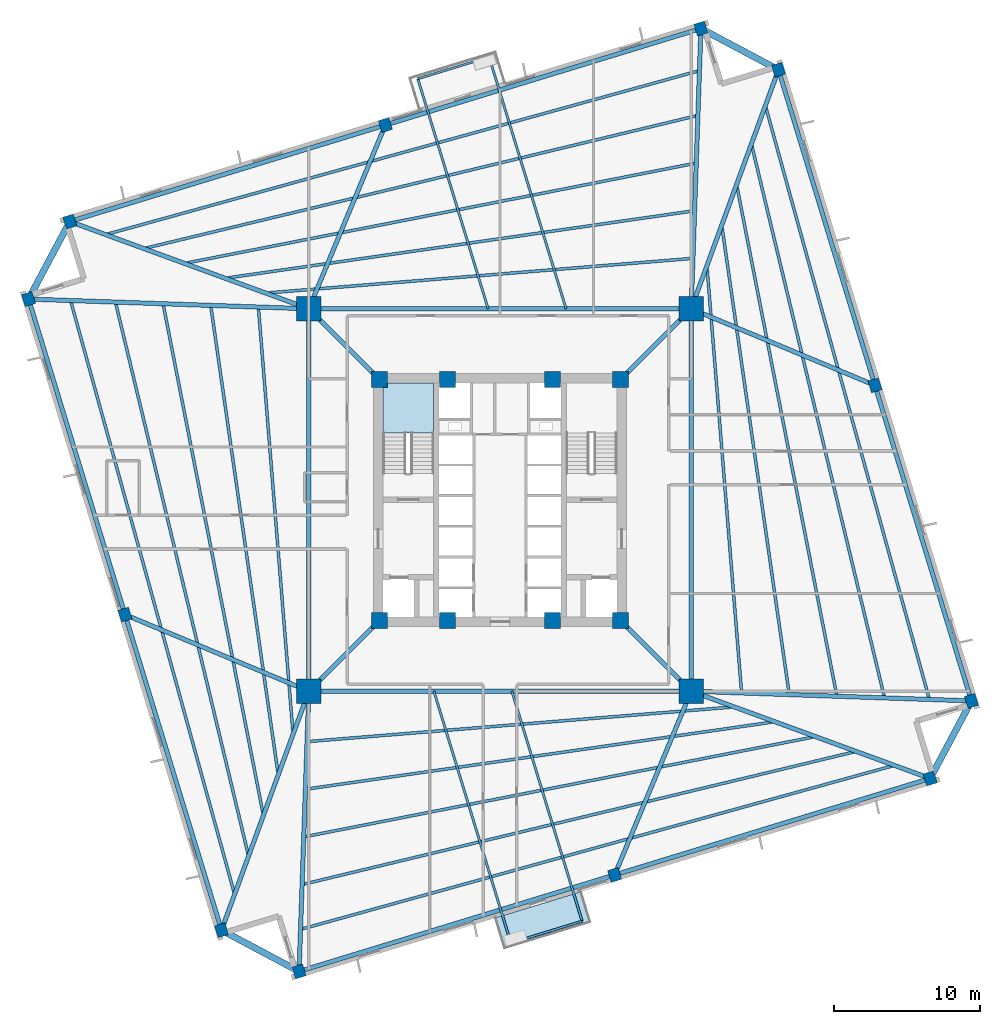
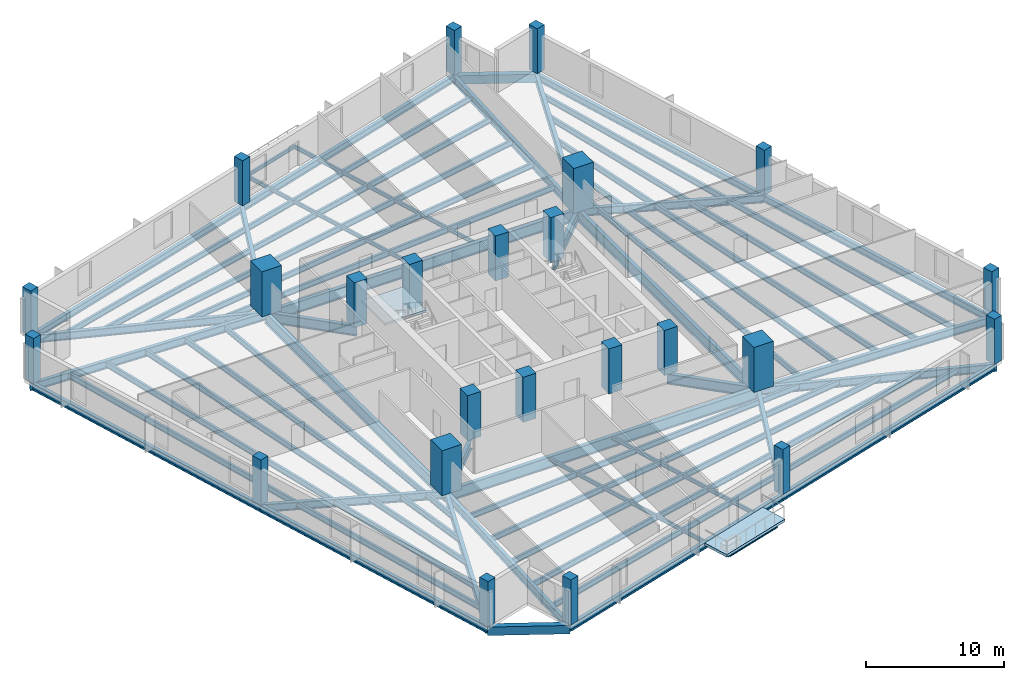
# One storey, part 1 of 9: 58 beams, 24 columns, 2 slabs, 1 element without a shape of its own.
"""IFC4 building model written with IfcOpenShell, lengths in metres."""

from ifc_helpers import new_model, si_unit, direction, frame, origin, origin_2d, place, context, subcontext, project, spatial, polyline, rectangle, i_section, outline, extrude, source, transform, mapped, material, layer, layer_set, material_profile, profile_set, type_object, element, aggregate, save


model = new_model("IFC4")

# Units and contexts
model_context = context("Model", 3, precision=1e-05, world=origin(), true_north=direction((0.0, 1.0)))
body_context = subcontext(model_context, "Body", "Model", "MODEL_VIEW")
ifc_project = project(units=[si_unit("LENGTHUNIT", "METRE"), si_unit("AREAUNIT", "SQUARE_METRE"), si_unit("VOLUMEUNIT", "CUBIC_METRE"), si_unit("PLANEANGLEUNIT", "RADIAN"), si_unit("MASSUNIT", "GRAM", prefix="KILO"), si_unit("THERMODYNAMICTEMPERATUREUNIT", "KELVIN")], contexts=[model_context])

# Site, building, storey
site_placement = place(None, origin())
site = spatial("IfcSite", under=ifc_project, at=site_placement, CompositionType="ELEMENT")
building_placement = place(site_placement, origin())
building = spatial("IfcBuilding", under=site, at=building_placement, Name="Kosmvard Interchange Tower", CompositionType="ELEMENT")
storey_placement = place(building_placement, frame((0.0, 0.0, 127.199951171875)))
storey = spatial("IfcBuildingStorey", under=building, at=storey_placement, Name="L30", CompositionType="ELEMENT", Elevation=127.199951171875)

# Columns
ifc_material_1 = material(Name="Concrete C80/95", Category="concrete")
ifc_material_profile_1 = material_profile(ifc_material_1, rectangle(XDim=1.10009765625, YDim=1.10009765625, at=origin_2d()), Name="CP 1100x1100")
ifc_profile_set_1 = profile_set([ifc_material_profile_1], Name="Concrete C80/95")
column_type_1 = type_object("IfcColumnType", Name="Core Boundary Pilaster 1100x1100 C80/95", PredefinedType="PILASTER", material=ifc_profile_set_1)
shared_shape_1 = source(origin(), body_context, "Body", "SweptSolid", [
    extrude(rectangle(XDim=1.10009765625, YDim=1.10009765625, at=origin_2d()), origin(), (0.0, 0.0, 1.0), 4.0),
])
for number, where, z_axis, x_axis, name in (
    (1, (-8.25, -8.25, 0.0), (0.0, 0.0, 1.0), (1.0, 0.0, 0.0), "L30 Core Pilaster CP1"),
    (2, (8.25, -8.25, 0.0), (0.0, 0.0, 1.0), (1.0, 0.0, 0.0), "L30 Core Pilaster CP2"),
    (3, (8.25, 8.25, 0.0), (0.0, 0.0, 1.0), (1.0, 0.0, 0.0), "L30 Core Pilaster CP3"),
    (4, (-8.25, 8.25, 0.0), (0.0, 0.0, 1.0), (1.0, 0.0, 0.0), "L30 Core Pilaster CP4"),
    (5, (-3.60009765625, -8.25, 0.0), (0.0, 0.0, 1.0), (1.0, 0.0, 0.0), "L30 Core Pilaster CP5"),
    (6, (3.60009765625, -8.25, 0.0), (0.0, 0.0, 1.0), (1.0, 0.0, 0.0), "L30 Core Pilaster CP6"),
    (7, (-3.60009765625, 8.25, 0.0), (0.0, 0.0, 1.0), (1.0, 0.0, 0.0), "L30 Core Pilaster CP7"),
    (8, (3.60009765625, 8.25, 0.0), (0.0, 0.0, 1.0), (1.0, 0.0, 0.0), "L30 Core Pilaster CP8"),
):
    element("IfcColumn", number, at=place(storey_placement, frame(where, z_axis=z_axis, x_axis=x_axis)), inside=storey, type_object=column_type_1, Name=name, PredefinedType="PILASTER", context=body_context, shape_type="MappedRepresentation", body=[
        mapped(shared_shape_1, transform((0.0, 0.0, 0.0), scale=1.0)),
    ])
ifc_material_2 = material(Name="Concrete C70/85", Category="concrete")
ifc_material_profile_2 = material_profile(ifc_material_2, rectangle(XDim=1.64990234375, YDim=1.64990234375, at=origin_2d()), Name="MC 1650x1650")
ifc_profile_set_2 = profile_set([ifc_material_profile_2], Name="Concrete C70/85")
column_type_2 = type_object("IfcColumnType", Name="Composite Mega-Column 1650x1650 C70/85", PredefinedType="COLUMN", material=ifc_profile_set_2)
shared_shape_2 = source(origin(), body_context, "Body", "SweptSolid", [
    extrude(rectangle(XDim=1.64990234375, YDim=1.64990234375, at=origin_2d()), origin(), (0.0, 0.0, 1.0), 4.0),
])
for number, where, z_axis, x_axis, name in (
    (9, (-13.0810546875, -13.0810546875, 0.0), (0.0, 0.0, 1.0), (1.0, 0.0, 0.0), "L30 Corner Mega-Column MC1"),
    (10, (13.0810546875, -13.0810546875, 0.0), (0.0, 0.0, 1.0), (1.0, 0.0, 0.0), "L30 Corner Mega-Column MC2"),
    (11, (13.0810546875, 13.0810546875, 0.0), (0.0, 0.0, 1.0), (1.0, 0.0, 0.0), "L30 Corner Mega-Column MC3"),
    (12, (-13.0810546875, 13.0810546875, 0.0), (0.0, 0.0, 1.0), (1.0, 0.0, 0.0), "L30 Corner Mega-Column MC4"),
):
    element("IfcColumn", number, at=place(storey_placement, frame(where, z_axis=z_axis, x_axis=x_axis)), inside=storey, type_object=column_type_2, Name=name, PredefinedType="COLUMN", context=body_context, shape_type="MappedRepresentation", body=[
        mapped(shared_shape_2, transform((0.0, 0.0, 0.0), scale=1.0)),
    ])
ifc_material_3 = material(Name="Concrete C60/75", Category="concrete")
ifc_material_profile_3 = material_profile(ifc_material_3, rectangle(XDim=0.75, YDim=0.85009765625, at=origin_2d()), Name="TC 850x750")
ifc_profile_set_3 = profile_set([ifc_material_profile_3], Name="Concrete C60/75")
column_type_3 = type_object("IfcColumnType", Name="Zone 2 Perimeter Pier Column 850x750 C60/75", PredefinedType="COLUMN", material=ifc_profile_set_3)
shared_shape_3 = source(origin(), body_context, "Body", "SweptSolid", [
    extrude(rectangle(XDim=0.75, YDim=0.85009765625, at=origin_2d()), origin(), (0.0, 0.0, 1.0), 4.0),
])
for number, where, z_axis, x_axis, name in (
    (13, (-13.74560546875, -32.253173828125, 0.0), (0.0, 0.0, 1.0), (0.956304755963, 0.292371704723, 0.0), "L30 Perimeter Pier Column TC-S1"),
    (14, (7.8427734375, -25.65283203125, 0.0), (0.0, 0.0, 1.0), (0.956304755963, 0.292371704723, 0.0), "L30 Perimeter Pier Column TC-S2"),
    (15, (29.431396484375, -19.052490234375, 0.0), (0.0, 0.0, 1.0), (0.956304755963, 0.292371704723, 0.0), "L30 Perimeter Pier Column TC-S3"),
    (16, (32.253173828125, -13.74560546875, 0.0), (0.0, 0.0, 1.0), (0.956304755963, 0.292371704723, 0.0), "L30 Perimeter Pier Column TC-E1"),
    (17, (25.65283203125, 7.8427734375, 0.0), (0.0, 0.0, 1.0), (0.956304755963, 0.292371704723, 0.0), "L30 Perimeter Pier Column TC-E2"),
    (18, (19.052490234375, 29.431396484375, 0.0), (0.0, 0.0, 1.0), (0.956304755963, 0.292371704723, 0.0), "L30 Perimeter Pier Column TC-E3"),
    (19, (13.74560546875, 32.253173828125, 0.0), (0.0, 0.0, 1.0), (0.956304755963, 0.292371704723, 0.0), "L30 Perimeter Pier Column TC-N1"),
    (20, (-7.8427734375, 25.65283203125, 0.0), (0.0, 0.0, 1.0), (0.956304755963, 0.292371704723, 0.0), "L30 Perimeter Pier Column TC-N2"),
    (21, (-29.431396484375, 19.052490234375, 0.0), (0.0, 0.0, 1.0), (0.956304755963, 0.292371704723, 0.0), "L30 Perimeter Pier Column TC-N3"),
    (22, (-32.253173828125, 13.74560546875, 0.0), (0.0, 0.0, 1.0), (0.956304755963, 0.292371704723, 0.0), "L30 Perimeter Pier Column TC-W1"),
    (23, (-25.65283203125, -7.8427734375, 0.0), (0.0, 0.0, 1.0), (0.956304755963, 0.292371704723, 0.0), "L30 Perimeter Pier Column TC-W2"),
    (24, (-19.052490234375, -29.431396484375, 0.0), (0.0, 0.0, 1.0), (0.956304755963, 0.292371704723, 0.0), "L30 Perimeter Pier Column TC-W3"),
):
    element("IfcColumn", number, at=place(storey_placement, frame(where, z_axis=z_axis, x_axis=x_axis)), inside=storey, type_object=column_type_3, Name=name, PredefinedType="COLUMN", context=body_context, shape_type="MappedRepresentation", body=[
        mapped(shared_shape_3, transform((0.0, 0.0, 0.0), scale=1.0)),
    ])

# Beams
ifc_material_4 = material(Name="Steel S460", Category="steel")
ifc_material_profile_4 = material_profile(ifc_material_4, i_section(OverallWidth=0.30810546875, OverallDepth=0.909912109375, WebThickness=0.02099609375, FlangeThickness=0.0400390625, FilletRadius=0.027099609375, at=origin_2d()), Name="HEM 900")
ifc_profile_set_4 = profile_set([ifc_material_profile_4], Name="Steel S460")
beam_type_1 = type_object("IfcBeamType", Name="Primary Mega-Frame Girder HEM 900 S460", PredefinedType="BEAM", material=ifc_profile_set_4)
shared_shape_4 = source(origin(), body_context, "Body", "SweptSolid", [
    extrude(i_section(OverallWidth=0.30810546875, OverallDepth=0.909912109375, WebThickness=0.02099609375, FlangeThickness=0.0400390625, FilletRadius=0.027099609375, at=origin_2d()), origin(), (0.0, 0.0, 1.0), 6.83203125),
])
for number, where, z_axis, x_axis, name in (
    (25, (-8.25, -8.25, -0.71484375), (-0.707106781187, -0.707106781187, 0.0), (0.707106781187, -0.707106781187, 0.0), "L30 Radial Mega-Frame Girder 1"),
    (26, (8.25, -8.25, -0.71484375), (0.707106781187, -0.707106781187, 0.0), (0.707106781187, 0.707106781187, 0.0), "L30 Radial Mega-Frame Girder 2"),
    (27, (8.25, 8.25, -0.71484375), (0.707106781187, 0.707106781187, 0.0), (-0.707106781187, 0.707106781187, 0.0), "L30 Radial Mega-Frame Girder 3"),
    (28, (-8.25, 8.25, -0.71484375), (-0.707106781187, 0.707106781187, 0.0), (-0.707106781187, -0.707106781187, 0.0), "L30 Radial Mega-Frame Girder 4"),
):
    element("IfcBeam", number, at=place(storey_placement, frame(where, z_axis=z_axis, x_axis=x_axis)), inside=storey, type_object=beam_type_1, Name=name, PredefinedType="BEAM", context=body_context, shape_type="MappedRepresentation", body=[
        mapped(shared_shape_4, transform((0.0, 0.0, 0.0), scale=1.0)),
    ])
ifc_material_profile_5 = material_profile(ifc_material_4, i_section(OverallWidth=0.30908203125, OverallDepth=1.008056640625, WebThickness=0.02099609375, FlangeThickness=0.0400390625, FilletRadius=0.030029296875, at=origin_2d()), Name="HEM 1000")
ifc_profile_set_5 = profile_set([ifc_material_profile_5], Name="Steel S460")
beam_type_2 = type_object("IfcBeamType", Name="Mega-Column Ring Girder HEM 1000 S460", PredefinedType="BEAM", material=ifc_profile_set_5)
shared_shape_5 = source(origin(), body_context, "Body", "SweptSolid", [
    extrude(i_section(OverallWidth=0.30908203125, OverallDepth=1.008056640625, WebThickness=0.02099609375, FlangeThickness=0.0400390625, FilletRadius=0.030029296875, at=origin_2d()), origin(), (0.0, 0.0, 1.0), 26.162109375),
])
for number, where, z_axis, x_axis, name in (
    (29, (-13.0810546875, -13.0810546875, -0.763916015625), (1.0, 0.0, 0.0), (0.0, 1.0, 0.0), "L30 Mega-Column Ring Girder 1"),
    (30, (13.0810546875, -13.0810546875, -0.763916015625), (0.0, 1.0, 0.0), (-1.0, 0.0, 0.0), "L30 Mega-Column Ring Girder 2"),
    (31, (13.0810546875, 13.0810546875, -0.763916015625), (-1.0, 0.0, 0.0), (0.0, -1.0, 0.0), "L30 Mega-Column Ring Girder 3"),
    (32, (-13.0810546875, 13.0810546875, -0.763916015625), (0.0, -1.0, 0.0), (1.0, 0.0, 0.0), "L30 Mega-Column Ring Girder 4"),
):
    element("IfcBeam", number, at=place(storey_placement, frame(where, z_axis=z_axis, x_axis=x_axis)), inside=storey, type_object=beam_type_2, Name=name, PredefinedType="BEAM", context=body_context, shape_type="MappedRepresentation", body=[
        mapped(shared_shape_5, transform((0.0, 0.0, 0.0), scale=1.0)),
    ])
ifc_material_5 = material(Name="Steel S355", Category="steel")
ifc_material_profile_6 = material_profile(ifc_material_5, i_section(OverallWidth=0.300048828125, OverallDepth=0.60009765625, WebThickness=0.015380859375, FlangeThickness=0.030029296875, FilletRadius=0.027099609375, at=origin_2d()), Name="HEB 600")
ifc_profile_set_6 = profile_set([ifc_material_profile_6], Name="Steel S355")
beam_type_3 = type_object("IfcBeamType", Name="Perimeter Tie Girder HEB 600 S355", PredefinedType="BEAM", material=ifc_profile_set_6)
shared_shape_6 = source(origin(), body_context, "Body", "SweptSolid", [
    extrude(i_section(OverallWidth=0.300048828125, OverallDepth=0.60009765625, WebThickness=0.015380859375, FlangeThickness=0.030029296875, FilletRadius=0.027099609375, at=origin_2d()), origin(), (0.0, 0.0, 1.0), 22.57470703125),
])
for number, where, z_axis, x_axis, name in (
    (33, (-13.74560546875, -32.253173828125, -0.56005859375), (0.956303368768, 0.292376241995, 0.0), (-0.292376241995, 0.956303368768, 0.0), "BM-L30-PR01"),
    (34, (32.253173828125, -13.74560546875, -0.56005859375), (-0.292376241995, 0.956303368768, 0.0), (-0.956303368768, -0.292376241995, 0.0), "BM-L30-PR04"),
    (35, (13.74560546875, 32.253173828125, -0.56005859375), (-0.956303368768, -0.292376241995, 0.0), (0.292376241995, -0.956303368768, 0.0), "BM-L30-PR07"),
    (36, (-32.253173828125, 13.74560546875, -0.56005859375), (0.292376241995, -0.956303368768, 0.0), (0.956303368768, 0.292376241995, 0.0), "BM-L30-PR10"),
):
    element("IfcBeam", number, at=place(storey_placement, frame(where, z_axis=z_axis, x_axis=x_axis)), inside=storey, type_object=beam_type_3, Name=name, PredefinedType="BEAM", context=body_context, shape_type="MappedRepresentation", body=[
        mapped(shared_shape_6, transform((0.0, 0.0, 0.0), scale=1.0)),
    ])
ifc_material_profile_7 = material_profile(ifc_material_5, i_section(OverallWidth=0.300048828125, OverallDepth=0.699951171875, WebThickness=0.01708984375, FlangeThickness=0.031982421875, FilletRadius=0.027099609375, at=origin_2d()), Name="HEB 700")
ifc_profile_set_7 = profile_set([ifc_material_profile_7], Name="Steel S355")
beam_type_4 = type_object("IfcBeamType", Name="Primary Floor Girder HEB 700 S355", PredefinedType="BEAM", material=ifc_profile_set_7)
shared_shape_7 = source(origin(), body_context, "Body", "SweptSolid", [
    extrude(i_section(OverallWidth=0.300048828125, OverallDepth=0.699951171875, WebThickness=0.01708984375, FlangeThickness=0.031982421875, FilletRadius=0.027099609375, at=origin_2d()), origin(), (0.0, 0.0, 1.0), 19.18359375),
])
for number, where, z_axis, x_axis, name in (
    (37, (-13.0810546875, -13.0810546875, -0.60986328125), (-0.034641549738, -0.999399801397, 0.0), (0.999399801397, -0.034641549738, 0.0), "BM-L30-RD01"),
    (38, (13.0810546875, -13.0810546875, -0.60986328125), (0.999399801397, -0.034641549738, 0.0), (0.034641549738, 0.999399801397, 0.0), "BM-L30-RD04"),
    (39, (13.0810546875, 13.0810546875, -0.60986328125), (0.034641549738, 0.999399801397, 0.0), (-0.999399801397, 0.034641549738, 0.0), "BM-L30-RD07"),
    (40, (-13.0810546875, 13.0810546875, -0.60986328125), (-0.999399801397, 0.034641549738, 0.0), (-0.034641549738, -0.999399801397, 0.0), "BM-L30-RD10"),
):
    element("IfcBeam", number, at=place(storey_placement, frame(where, z_axis=z_axis, x_axis=x_axis)), inside=storey, type_object=beam_type_4, Name=name, PredefinedType="BEAM", context=body_context, shape_type="MappedRepresentation", body=[
        mapped(shared_shape_7, transform((0.0, 0.0, 0.0), scale=1.0)),
    ])
shared_shape_8 = source(origin(), body_context, "Body", "SweptSolid", [
    extrude(i_section(OverallWidth=0.300048828125, OverallDepth=0.60009765625, WebThickness=0.015380859375, FlangeThickness=0.030029296875, FilletRadius=0.027099609375, at=origin_2d()), origin(), (0.0, 0.0, 1.0), 22.574951171875),
])
for number, where, z_axis, x_axis, name in (
    (41, (7.8427734375, -25.65283203125, -0.56005859375), (0.956304293239, 0.292373218222, 0.0), (-0.292373218222, 0.956304293239, 0.0), "BM-L30-PR02"),
    (42, (25.65283203125, 7.8427734375, -0.56005859375), (-0.292373218222, 0.956304293239, 0.0), (-0.956304293239, -0.292373218222, 0.0), "BM-L30-PR05"),
    (43, (-7.8427734375, 25.65283203125, -0.56005859375), (-0.956304293239, -0.292373218222, 0.0), (0.292373218222, -0.956304293239, 0.0), "BM-L30-PR08"),
    (44, (-25.65283203125, -7.8427734375, -0.56005859375), (0.292373218222, -0.956304293239, 0.0), (0.956304293239, 0.292373218222, 0.0), "BM-L30-PR11"),
):
    element("IfcBeam", number, at=place(storey_placement, frame(where, z_axis=z_axis, x_axis=x_axis)), inside=storey, type_object=beam_type_3, Name=name, PredefinedType="BEAM", context=body_context, shape_type="MappedRepresentation", body=[
        mapped(shared_shape_8, transform((0.0, 0.0, 0.0), scale=1.0)),
    ])
shared_shape_9 = source(origin(), body_context, "Body", "SweptSolid", [
    extrude(i_section(OverallWidth=0.300048828125, OverallDepth=0.699951171875, WebThickness=0.01708984375, FlangeThickness=0.031982421875, FilletRadius=0.027099609375, at=origin_2d()), origin(), (0.0, 0.0, 1.0), 13.619384765625),
])
for number, where, z_axis, x_axis, name in (
    (45, (13.0810546875, -13.0810546875, -0.60986328125), (-0.384617930303, -0.92307586237, 0.0), (0.92307586237, -0.384617930303, 0.0), "BM-L30-RD02"),
    (46, (13.0810546875, 13.0810546875, -0.60986328125), (0.92307586237, -0.384617930303, 0.0), (0.384617930303, 0.92307586237, 0.0), "BM-L30-RD05"),
    (47, (-13.0810546875, 13.0810546875, -0.60986328125), (0.384617930303, 0.92307586237, 0.0), (-0.92307586237, 0.384617930303, 0.0), "BM-L30-RD08"),
    (48, (-13.0810546875, -13.0810546875, -0.60986328125), (-0.92307586237, 0.384617930303, 0.0), (-0.384617930303, -0.92307586237, 0.0), "BM-L30-RD11"),
):
    element("IfcBeam", number, at=place(storey_placement, frame(where, z_axis=z_axis, x_axis=x_axis)), inside=storey, type_object=beam_type_4, Name=name, PredefinedType="BEAM", context=body_context, shape_type="MappedRepresentation", body=[
        mapped(shared_shape_9, transform((0.0, 0.0, 0.0), scale=1.0)),
    ])
ifc_material_6 = material(Name="Precast concrete C45/55", Category="concrete")
ifc_material_profile_8 = material_profile(ifc_material_6, rectangle(XDim=0.449951171875, YDim=0.75, at=origin_2d()), Name="SL 450x750")
ifc_profile_set_8 = profile_set([ifc_material_profile_8], Name="Precast concrete C45/55")
beam_type_5 = type_object("IfcBeamType", Name="Precast Spandrel Lintel 450x750 C45/55", PredefinedType="LINTEL", material=ifc_profile_set_8)
shared_shape_10 = source(origin(), body_context, "Body", "SweptSolid", [
    extrude(rectangle(XDim=0.449951171875, YDim=0.75, at=origin_2d()), origin(), (0.0, 0.0, 1.0), 6.010498046875),
])
for number, where, z_axis, x_axis, name in (
    (49, (29.431396484375, -19.052490234375, -0.635009765625), (0.469478912111, 0.882943685114, 0.0), (-0.882943685114, 0.469478912111, 0.0), "BM-L30-SL1"),
    (50, (19.052490234375, 29.431396484375, -0.635009765625), (-0.882943685114, 0.469478912111, 0.0), (-0.469478912111, -0.882943685114, 0.0), "BM-L30-SL2"),
    (51, (-29.431396484375, 19.052490234375, -0.635009765625), (-0.469478912111, -0.882943685114, 0.0), (0.882943685114, -0.469478912111, 0.0), "BM-L30-SL3"),
    (52, (-19.052490234375, -29.431396484375, -0.635009765625), (0.882943685114, -0.469478912111, 0.0), (0.469478912111, 0.882943685114, 0.0), "BM-L30-SL4"),
):
    element("IfcBeam", number, at=place(storey_placement, frame(where, z_axis=z_axis, x_axis=x_axis)), inside=storey, type_object=beam_type_5, Name=name, PredefinedType="LINTEL", context=body_context, shape_type="MappedRepresentation", body=[
        mapped(shared_shape_10, transform((0.0, 0.0, 0.0), scale=1.0)),
    ])
shared_shape_11 = source(origin(), body_context, "Body", "SweptSolid", [
    extrude(i_section(OverallWidth=0.300048828125, OverallDepth=0.699951171875, WebThickness=0.01708984375, FlangeThickness=0.031982421875, FilletRadius=0.027099609375, at=origin_2d()), origin(), (0.0, 0.0, 1.0), 17.40673828125),
])
for number, where, z_axis, x_axis, name in (
    (53, (13.0810546875, -13.0810546875, -0.60986328125), (0.939315429031, -0.343054696491, 0.0), (0.343054696491, 0.939315429031, 0.0), "BM-L30-RD03"),
    (54, (13.0810546875, 13.0810546875, -0.60986328125), (0.343054696491, 0.939315429031, 0.0), (-0.939315429031, 0.343054696491, 0.0), "BM-L30-RD06"),
    (55, (-13.0810546875, 13.0810546875, -0.60986328125), (-0.939315429031, 0.343054696491, 0.0), (-0.343054696491, -0.939315429031, 0.0), "BM-L30-RD09"),
    (56, (-13.0810546875, -13.0810546875, -0.60986328125), (-0.343054696491, -0.939315429031, 0.0), (0.939315429031, -0.343054696491, 0.0), "BM-L30-RD12"),
):
    element("IfcBeam", number, at=place(storey_placement, frame(where, z_axis=z_axis, x_axis=x_axis)), inside=storey, type_object=beam_type_4, Name=name, PredefinedType="BEAM", context=body_context, shape_type="MappedRepresentation", body=[
        mapped(shared_shape_11, transform((0.0, 0.0, 0.0), scale=1.0)),
    ])
ifc_material_profile_9 = material_profile(ifc_material_5, i_section(OverallWidth=0.199951171875, OverallDepth=0.5, WebThickness=0.01025390625, FlangeThickness=0.01611328125, FilletRadius=0.02099609375, at=origin_2d()), Name="IPE 500")
ifc_profile_set_9 = profile_set([ifc_material_profile_9], Name="Steel S355")
beam_type_6 = type_object("IfcBeamType", Name="Standard Floor Joist IPE 500 S355", PredefinedType="JOIST", material=ifc_profile_set_9)
shared_shape_12 = source(origin(), body_context, "Body", "SweptSolid", [
    extrude(i_section(OverallWidth=0.199951171875, OverallDepth=0.5, WebThickness=0.01025390625, FlangeThickness=0.01611328125, FilletRadius=0.02099609375, at=origin_2d()), origin(), (0.0, 0.0, 1.0), 29.1611328125),
])
for number, where, z_axis, x_axis, name in (
    (57, (-13.120849609375, -16.525390625, -0.510009765625), (0.99671134435, 0.081033919093, 0.0), (-0.081033919093, 0.99671134435, 0.0), "BM-L30-FJ01"),
    (58, (16.525390625, -13.120849609375, -0.510009765625), (-0.081033919093, 0.99671134435, 0.0), (-0.99671134435, -0.081033919093, 0.0), "BM-L30-FJ06"),
    (59, (13.120849609375, 16.525390625, -0.510009765625), (-0.99671134435, -0.081033919093, 0.0), (0.081033919093, -0.99671134435, 0.0), "BM-L30-FJ11"),
    (60, (-16.525390625, 13.120849609375, -0.510009765625), (0.081033919093, -0.99671134435, 0.0), (0.99671134435, 0.081033919093, 0.0), "BM-L30-FJ16"),
):
    element("IfcBeam", number, at=place(storey_placement, frame(where, z_axis=z_axis, x_axis=x_axis)), inside=storey, type_object=beam_type_6, Name=name, PredefinedType="JOIST", context=body_context, shape_type="MappedRepresentation", body=[
        mapped(shared_shape_12, transform((0.0, 0.0, 0.0), scale=1.0)),
    ])
shared_shape_13 = source(origin(), body_context, "Body", "SweptSolid", [
    extrude(i_section(OverallWidth=0.199951171875, OverallDepth=0.5, WebThickness=0.01025390625, FlangeThickness=0.01611328125, FilletRadius=0.02099609375, at=origin_2d()), origin(), (0.0, 0.0, 1.0), 32.287841796875),
])
for number, where, z_axis, x_axis, name in (
    (61, (-13.234375, -19.77978515625, -0.510009765625), (0.989810798314, 0.142388846268, 0.0), (-0.142388846268, 0.989810798314, 0.0), "BM-L30-FJ02"),
    (62, (19.77978515625, -13.234375, -0.510009765625), (-0.142388846268, 0.989810798314, 0.0), (-0.989810798314, -0.142388846268, 0.0), "BM-L30-FJ07"),
    (63, (13.234375, 19.77978515625, -0.510009765625), (-0.989810798314, -0.142388846268, 0.0), (0.142388846268, -0.989810798314, 0.0), "BM-L30-FJ12"),
    (64, (-19.77978515625, 13.234375, -0.510009765625), (0.142388846268, -0.989810798314, 0.0), (0.989810798314, 0.142388846268, 0.0), "BM-L30-FJ17"),
):
    element("IfcBeam", number, at=place(storey_placement, frame(where, z_axis=z_axis, x_axis=x_axis)), inside=storey, type_object=beam_type_6, Name=name, PredefinedType="JOIST", context=body_context, shape_type="MappedRepresentation", body=[
        mapped(shared_shape_13, transform((0.0, 0.0, 0.0), scale=1.0)),
    ])
shared_shape_14 = source(origin(), body_context, "Body", "SweptSolid", [
    extrude(i_section(OverallWidth=0.199951171875, OverallDepth=0.5, WebThickness=0.01025390625, FlangeThickness=0.01611328125, FilletRadius=0.02099609375, at=origin_2d()), origin(), (0.0, 0.0, 1.0), 35.516357421875),
])
for number, where, z_axis, x_axis, name in (
    (65, (-13.34814453125, -23.03515625, -0.510009765625), (0.981315785618, 0.192404077134, 0.0), (-0.192404077134, 0.981315785618, 0.0), "BM-L30-FJ03"),
    (66, (23.03515625, -13.34814453125, -0.510009765625), (-0.192404077134, 0.981315785618, 0.0), (-0.981315785618, -0.192404077134, 0.0), "BM-L30-FJ08"),
    (67, (13.34814453125, 23.03515625, -0.510009765625), (-0.981315785618, -0.192404077134, 0.0), (0.192404077134, -0.981315785618, 0.0), "BM-L30-FJ13"),
    (68, (-23.03515625, 13.34814453125, -0.510009765625), (0.192404077134, -0.981315785618, 0.0), (0.981315785618, 0.192404077134, 0.0), "BM-L30-FJ18"),
):
    element("IfcBeam", number, at=place(storey_placement, frame(where, z_axis=z_axis, x_axis=x_axis)), inside=storey, type_object=beam_type_6, Name=name, PredefinedType="JOIST", context=body_context, shape_type="MappedRepresentation", body=[
        mapped(shared_shape_14, transform((0.0, 0.0, 0.0), scale=1.0)),
    ])
shared_shape_15 = source(origin(), body_context, "Body", "SweptSolid", [
    extrude(i_section(OverallWidth=0.199951171875, OverallDepth=0.5, WebThickness=0.01025390625, FlangeThickness=0.01611328125, FilletRadius=0.02099609375, at=origin_2d()), origin(), (0.0, 0.0, 1.0), 38.821533203125),
])
for number, where, z_axis, x_axis, name in (
    (69, (-13.4619140625, -26.291015625, -0.510009765625), (0.972318244358, 0.233660505198, 0.0), (-0.233660505198, 0.972318244358, 0.0), "BM-L30-FJ04"),
    (70, (26.291015625, -13.4619140625, -0.510009765625), (-0.233660505198, 0.972318244358, 0.0), (-0.972318244358, -0.233660505198, 0.0), "BM-L30-FJ09"),
    (71, (13.4619140625, 26.291015625, -0.510009765625), (-0.972318244358, -0.233660505198, 0.0), (0.233660505198, -0.972318244358, 0.0), "BM-L30-FJ14"),
    (72, (-26.291015625, 13.4619140625, -0.510009765625), (0.233660505198, -0.972318244358, 0.0), (0.972318244358, 0.233660505198, 0.0), "BM-L30-FJ19"),
):
    element("IfcBeam", number, at=place(storey_placement, frame(where, z_axis=z_axis, x_axis=x_axis)), inside=storey, type_object=beam_type_6, Name=name, PredefinedType="JOIST", context=body_context, shape_type="MappedRepresentation", body=[
        mapped(shared_shape_15, transform((0.0, 0.0, 0.0), scale=1.0)),
    ])
shared_shape_16 = source(origin(), body_context, "Body", "SweptSolid", [
    extrude(i_section(OverallWidth=0.199951171875, OverallDepth=0.5, WebThickness=0.01025390625, FlangeThickness=0.01611328125, FilletRadius=0.02099609375, at=origin_2d()), origin(), (0.0, 0.0, 1.0), 41.98583984375),
])
for number, where, z_axis, x_axis, name in (
    (73, (-13.56884765625, -29.35595703125, -0.510009765625), (0.96391074105, 0.266225624778, 0.0), (-0.266225624778, 0.96391074105, 0.0), "BM-L30-FJ05"),
    (74, (29.35595703125, -13.56884765625, -0.510009765625), (-0.266225624778, 0.96391074105, 0.0), (-0.96391074105, -0.266225624778, 0.0), "BM-L30-FJ10"),
    (75, (13.56884765625, 29.35595703125, -0.510009765625), (-0.96391074105, -0.266225624778, 0.0), (0.266225624778, -0.96391074105, 0.0), "BM-L30-FJ15"),
    (76, (-29.35595703125, 13.56884765625, -0.510009765625), (0.266225624778, -0.96391074105, 0.0), (0.96391074105, 0.266225624778, 0.0), "BM-L30-FJ20"),
):
    element("IfcBeam", number, at=place(storey_placement, frame(where, z_axis=z_axis, x_axis=x_axis)), inside=storey, type_object=beam_type_6, Name=name, PredefinedType="JOIST", context=body_context, shape_type="MappedRepresentation", body=[
        mapped(shared_shape_16, transform((0.0, 0.0, 0.0), scale=1.0)),
    ])
ifc_material_profile_10 = material_profile(ifc_material_5, i_section(OverallWidth=0.159912109375, OverallDepth=0.330078125, WebThickness=0.007568359375, FlangeThickness=0.011474609375, FilletRadius=0.01806640625, at=origin_2d()), Name="IPE 330")
ifc_profile_set_10 = profile_set([ifc_material_profile_10], Name="Steel S355")
beam_type_7 = type_object("IfcBeamType", Name="Balcony Cantilever Joist IPE 330 S355", PredefinedType="JOIST", material=ifc_profile_set_10)
shared_shape_17 = source(origin(), body_context, "Body", "SweptSolid", [
    extrude(i_section(OverallWidth=0.159912109375, OverallDepth=0.330078125, WebThickness=0.007568359375, FlangeThickness=0.011474609375, FilletRadius=0.01806640625, at=origin_2d()), origin(), (0.0, 0.0, 1.0), 18.012939453125),
])
for number, where, z_axis, x_axis, name in (
    (77, (4.523193359375, 13.0810546875, -0.425048828125), (-0.292378649758, 0.956302632625, 0.0), (-0.956302632625, -0.292378649758, 0.0), "BM-L30-BJ1"),
    (78, (-4.523193359375, -13.0810546875, -0.425048828125), (0.292378649758, -0.956302632625, 0.0), (0.956302632625, 0.292378649758, 0.0), "BM-L30-BJ2"),
):
    element("IfcBeam", number, at=place(storey_placement, frame(where, z_axis=z_axis, x_axis=x_axis)), inside=storey, type_object=beam_type_7, Name=name, PredefinedType="JOIST", context=body_context, shape_type="MappedRepresentation", body=[
        mapped(shared_shape_17, transform((0.0, 0.0, 0.0), scale=1.0)),
    ])
shared_shape_18 = source(origin(), body_context, "Body", "SweptSolid", [
    extrude(i_section(OverallWidth=0.159912109375, OverallDepth=0.330078125, WebThickness=0.007568359375, FlangeThickness=0.011474609375, FilletRadius=0.01806640625, at=origin_2d()), origin(), (0.0, 0.0, 1.0), 16.453857421875),
])
for number, where, z_axis, x_axis, name in (
    (79, (-0.809814453125, 13.0810546875, -0.425048828125), (-0.292380627761, 0.956302027871, 0.0), (-0.956302027871, -0.292380627761, 0.0), "BM-L30-BJB1"),
    (80, (0.809814453125, -13.0810546875, -0.425048828125), (0.292380627761, -0.956302027871, 0.0), (0.956302027871, 0.292380627761, 0.0), "BM-L30-BJB2"),
):
    element("IfcBeam", number, at=place(storey_placement, frame(where, z_axis=z_axis, x_axis=x_axis)), inside=storey, type_object=beam_type_7, Name=name, PredefinedType="JOIST", context=body_context, shape_type="MappedRepresentation", body=[
        mapped(shared_shape_18, transform((0.0, 0.0, 0.0), scale=1.0)),
    ])
ifc_material_profile_11 = material_profile(ifc_material_5, i_section(OverallWidth=0.14990234375, OverallDepth=0.300048828125, WebThickness=0.007080078125, FlangeThickness=0.0107421875, FilletRadius=0.014892578125, at=origin_2d()), Name="IPE 300")
ifc_profile_set_11 = profile_set([ifc_material_profile_11], Name="Steel S355")
beam_type_8 = type_object("IfcBeamType", Name="Balcony Edge Header Joist IPE 300 S355", PredefinedType="JOIST", material=ifc_profile_set_11)
shared_shape_19 = source(origin(), body_context, "Body", "SweptSolid", [
    extrude(i_section(OverallWidth=0.14990234375, OverallDepth=0.300048828125, WebThickness=0.007080078125, FlangeThickness=0.0107421875, FilletRadius=0.014892578125, at=origin_2d()), origin(), (0.0, 0.0, 1.0), 5.10009765625),
])
for number, where, z_axis, x_axis, name in (
    (81, (-0.743408203125, 30.306884765625, -0.409912109375), (-0.956312543024, -0.292346233181, 0.0), (0.292346233181, -0.956312543024, 0.0), "BM-L30-BJH1"),
    (82, (0.743408203125, -30.306884765625, -0.409912109375), (0.956312543024, 0.292346233181, 0.0), (-0.292346233181, 0.956312543024, 0.0), "BM-L30-BJH2"),
):
    element("IfcBeam", number, at=place(storey_placement, frame(where, z_axis=z_axis, x_axis=x_axis)), inside=storey, type_object=beam_type_8, Name=name, PredefinedType="JOIST", context=body_context, shape_type="MappedRepresentation", body=[
        mapped(shared_shape_19, transform((0.0, 0.0, 0.0), scale=1.0)),
    ])

# Stair, slab
ifc_material_7 = material(Name="Concrete C50/60", Category="concrete")
stair_type = type_object("IfcStairType", Name="Dog-Leg Core Exit Stair H4000 C50/60", PredefinedType="HALF_TURN_STAIR", material=ifc_material_7)
stair_placement = place(storey_placement, origin())
stair = element("IfcStair", 83, at=stair_placement, inside=storey, type_object=stair_type, Name="L30 Protected Exit Stair ST-1", PredefinedType="HALF_TURN_STAIR")
ifc_layer_1 = layer(ifc_material_7, 0.199951171875, Name="Concrete C50/60")
ifc_layer_set_1 = layer_set([ifc_layer_1], Name="Concrete C50/60")
slab_type_1 = type_object("IfcSlabType", Name="Stair Half-Landing Slab 200 C50/60", PredefinedType="LANDING", material=ifc_layer_set_1)
slab_1_placement = place(storey_placement, frame((0.0, 0.0, 1.800048828125)))
slab_1 = element("IfcSlab", 84, at=slab_1_placement, type_object=slab_type_1, Name="ST-1 landing 1", PredefinedType="LANDING", context=body_context, shape_type="SweptSolid", body=[
    extrude(outline(polyline([(-4.5400390625, 4.60009765625), (-4.5400390625, 8.0), (-8.0, 8.0), (-8.0, 4.60009765625), (-4.5400390625, 4.60009765625)])), origin(), (0.0, 0.0, 1.0), 0.199951171875),
])
aggregate(stair, [slab_1])

# Slab
ifc_layer_2 = layer(ifc_material_7, 0.22998046875, Name="Concrete C50/60")
ifc_layer_set_2 = layer_set([ifc_layer_2], Name="Concrete C50/60")
slab_type_2 = type_object("IfcSlabType", Name="Tree-Planter Cantilever Balcony Slab 230 C50/60", PredefinedType="FLOOR", material=ifc_layer_set_2)
slab_2_placement = place(storey_placement, frame((0.0, 0.0, -0.22998046875)))
element("IfcSlab", 85, at=slab_2_placement, inside=storey, type_object=slab_type_2, Name="L30 Outdoor Terrace Balcony Slab BAL-L30-S", PredefinedType="FLOOR", context=body_context, shape_type="SweptSolid", body=[
    extrude(outline(polyline([(0.29052734375, -30.706787109375), (6.219482421875, -28.89404296875), (5.576416015625, -26.790283203125), (-0.352783203125, -28.60302734375), (0.29052734375, -30.706787109375)])), origin(), (0.0, 0.0, 1.0), 0.22998046875),
])

save(model, "model.ifc")
